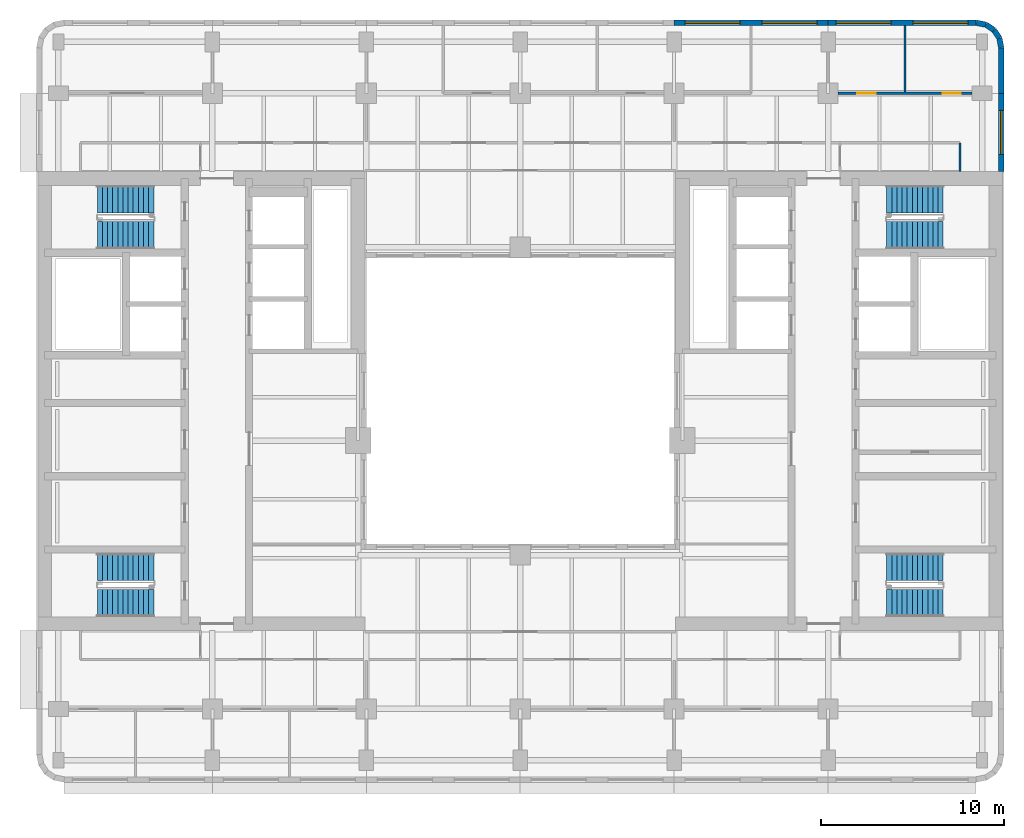
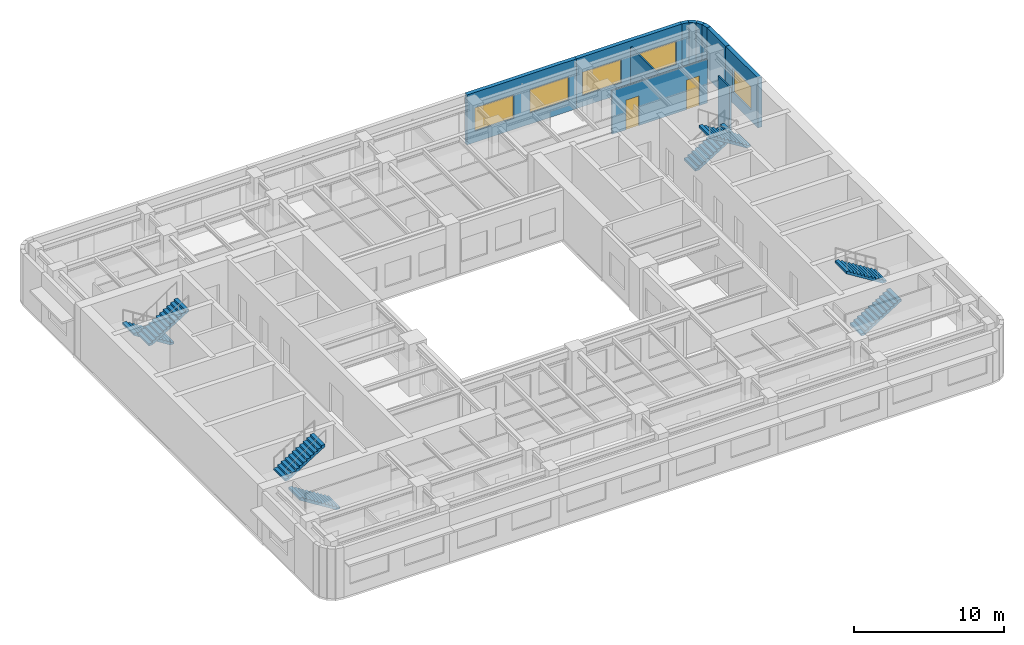
# One storey, part 8 of 11: 11 walls, 8 stair flights, 5 windows, 2 doors, 7 openings, 4 elements without a shape of their own.
"""IFC4 building model written with IfcOpenShell, lengths in metres."""

from ifc_helpers import new_model, si_unit, direction, frame, frame_2d, origin, place, context, subcontext, project, spatial, polyline, rectangle, outline, extrude, material, layer, layer_set, type_object, element, fill, aggregate, save


model = new_model("IFC4")

# Units and contexts
model_context = context("Model", 3, precision=1e-05, world=origin(), true_north=direction((0.0, 1.0)))
body_context = subcontext(model_context, "Body", "Model", "MODEL_VIEW")
ifc_project = project(units=[si_unit("LENGTHUNIT", "METRE"), si_unit("AREAUNIT", "SQUARE_METRE"), si_unit("VOLUMEUNIT", "CUBIC_METRE"), si_unit("PLANEANGLEUNIT", "RADIAN"), si_unit("MASSUNIT", "GRAM", prefix="KILO")], contexts=[model_context])

# Site, building, storey
site_placement = place(None, origin())
site = spatial("IfcSite", under=ifc_project, at=site_placement, CompositionType="ELEMENT")
building_placement = place(site_placement, origin())
building = spatial("IfcBuilding", under=site, at=building_placement, Name="Claustro Exchange Tower", CompositionType="ELEMENT")
storey_placement = place(building_placement, frame((0.0, 0.0, 202.800048828125)))
storey = spatial("IfcBuildingStorey", under=building, at=storey_placement, Name="L46", CompositionType="ELEMENT", Elevation=202.800048828125)

# Wall, openings, doors
ifc_material_1 = material(Name="Laminated glass in aluminium frame", Category="aluminium")
ifc_layer_1 = layer(ifc_material_1, 0.1201171875)
ifc_layer_set_1 = layer_set([ifc_layer_1], Name="Laminated glass in aluminium frame")
wall_type_1 = type_object("IfcWallType", Name="P2 120 glazed partition", PredefinedType="PARTITIONING", material=ifc_layer_set_1)
wall_1_placement = place(storey_placement, frame((42.549072265625, 42.0, 0.0), z_axis=(0.0, 0.0, 1.0), x_axis=(1.0, 0.0, 0.0)))
wall_1 = element("IfcWall", 1, at=wall_1_placement, inside=storey, type_object=wall_type_1, Name="Partition P2 L46", PredefinedType="PARTITIONING", context=body_context, shape_type="SweptSolid", body=[
    extrude(rectangle(XDim=7.302001953125, YDim=0.1201171875, at=frame_2d((3.65087890625, 0.0))), origin(), (0.0, 0.0, 1.0), 3.550048828125),
])
opening_1_placement = place(wall_1_placement, frame((1.051025390625, 0.0, 0.0)))
opening_1 = element("IfcOpeningElement", 2, at=opening_1_placement, cuts=wall_1, Name="Opening D7", PredefinedType="OPENING", context=body_context, shape_type="SweptSolid", body=[
    extrude(rectangle(XDim=1.0, YDim=2.39990234375, at=frame_2d((0.5, 1.199951171875))), frame((0.0, 0.070068359375, 0.0), z_axis=(0.0, -1.0, 0.0), x_axis=(1.0, 0.0, 0.0)), (0.0, 0.0, 1.0), 0.14013671875),
])
opening_2_placement = place(wall_1_placement, frame((5.700927734375, 0.0, 0.0)))
opening_2 = element("IfcOpeningElement", 3, at=opening_2_placement, cuts=wall_1, Name="Opening D7", PredefinedType="OPENING", context=body_context, shape_type="SweptSolid", body=[
    extrude(rectangle(XDim=1.0, YDim=2.39990234375, at=frame_2d((0.5, 1.199951171875))), frame((0.0, 0.070068359375, 0.0), z_axis=(0.0, -1.0, 0.0), x_axis=(1.0, 0.0, 0.0)), (0.0, 0.0, 1.0), 0.14013671875),
])
ifc_material_2 = material(Name="Glass door in aluminium frame", Category="aluminium")
door_type = type_object("IfcDoorType", Name="D7 1000 x 2400 glazed door", OperationType="SINGLE_SWING_LEFT", PredefinedType="DOOR", material=ifc_material_2)
door_1_placement = place(opening_1_placement, origin())
door_1 = element("IfcDoor", 4, at=door_1_placement, inside=storey, type_object=door_type, Name="Door D7 L46", OperationType="SINGLE_SWING_LEFT", OverallHeight=2.39990234375, OverallWidth=1.0, PredefinedType="DOOR", context=body_context, shape_type="SweptSolid", body=[
    extrude(rectangle(XDim=1.0, YDim=2.39990234375, at=frame_2d((0.5, 1.199951171875))), frame((0.0, 0.02490234375, 0.0), z_axis=(0.0, -1.0, 0.0), x_axis=(1.0, 0.0, 0.0)), (0.0, 0.0, 1.0), 0.050048828125),
])
fill(opening_1, door_1)
door_2_placement = place(opening_2_placement, origin())
door_2 = element("IfcDoor", 5, at=door_2_placement, inside=storey, type_object=door_type, Name="Door D7 L46", OperationType="SINGLE_SWING_LEFT", OverallHeight=2.39990234375, OverallWidth=1.0, PredefinedType="DOOR", context=body_context, shape_type="SweptSolid", body=[
    extrude(rectangle(XDim=1.0, YDim=2.39990234375, at=frame_2d((0.5, 1.199951171875))), frame((0.0, 0.02490234375, 0.0), z_axis=(0.0, -1.0, 0.0), x_axis=(1.0, 0.0, 0.0)), (0.0, 0.0, 1.0), 0.050048828125),
])
fill(opening_2, door_2)

# Walls
wall_2_placement = place(storey_placement, frame((46.199951171875, 42.05810546875, 0.0), z_axis=(0.0, 0.0, 1.0), x_axis=(0.0, 1.0, 0.0)))
element("IfcWall", 6, at=wall_2_placement, inside=storey, type_object=wall_type_1, Name="Partition P2 L46", PredefinedType="PARTITIONING", context=body_context, shape_type="SweptSolid", body=[
    extrude(rectangle(XDim=3.643798828125, YDim=0.1201171875, at=frame_2d((1.82177734375, 0.0))), origin(), (0.0, 0.0, 1.0), 3.550048828125),
])
wall_3_placement = place(storey_placement, frame((49.199951171875, 37.72412109375, 0.0), z_axis=(0.0, 0.0, 1.0), x_axis=(0.0, 1.0, 0.0)))
element("IfcWall", 7, at=wall_3_placement, inside=storey, type_object=wall_type_1, Name="Partition P2 L46", PredefinedType="PARTITIONING", context=body_context, shape_type="SweptSolid", body=[
    extrude(rectangle(XDim=1.575927734375, YDim=0.1201171875, at=frame_2d((0.7880859375, 0.0))), origin(), (0.0, 0.0, 1.0), 4.050048828125),
])

# Wall, openings, windows
ifc_material_3 = material(Name="Concrete HA-40 (C40/50), precast, white cement, acid-etched", Category="concrete")
ifc_layer_2 = layer(ifc_material_3, 0.300048828125)
ifc_layer_set_2 = layer_set([ifc_layer_2], Name="Concrete HA-40 (C40/50), precast, white cement, acid-etched")
wall_type_2 = type_object("IfcWallType", Name="PC1 300 precast concrete pier panel", PredefinedType="SOLIDWALL", material=ifc_layer_set_2)
wall_4_placement = place(storey_placement, frame((33.60009765625, 45.85009765625, 0.0), z_axis=(0.0, 0.0, 1.0), x_axis=(1.0, 0.0, 0.0)))
wall_4 = element("IfcWall", 8, at=wall_4_placement, inside=storey, type_object=wall_type_2, Name="Precast pier panel PC1 L46", PredefinedType="SOLIDWALL", context=body_context, shape_type="SweptSolid", body=[
    extrude(rectangle(XDim=8.39990234375, YDim=0.300048828125, at=frame_2d((4.199951171875, 0.0))), origin(), (0.0, 0.0, 1.0), 4.050048828125),
])
opening_3_placement = place(wall_4_placement, frame((0.60009765625, 0.0, 0.89990234375)))
opening_3 = element("IfcOpeningElement", 9, at=opening_3_placement, cuts=wall_4, Name="Opening W1", PredefinedType="OPENING", context=body_context, shape_type="SweptSolid", body=[
    extrude(rectangle(XDim=3.0, YDim=1.89990234375, at=frame_2d((1.5, 0.949951171875))), frame((0.0, 0.159912109375, 0.0), z_axis=(0.0, -1.0, 0.0), x_axis=(1.0, 0.0, 0.0)), (0.0, 0.0, 1.0), 0.320068359375),
])
opening_4_placement = place(wall_4_placement, frame((4.800048828125, 0.0, 0.89990234375)))
opening_4 = element("IfcOpeningElement", 10, at=opening_4_placement, cuts=wall_4, Name="Opening W1", PredefinedType="OPENING", context=body_context, shape_type="SweptSolid", body=[
    extrude(rectangle(XDim=3.0, YDim=1.89990234375, at=frame_2d((1.5, 0.949951171875))), frame((0.0, 0.159912109375, 0.0), z_axis=(0.0, -1.0, 0.0), x_axis=(1.0, 0.0, 0.0)), (0.0, 0.0, 1.0), 0.320068359375),
])
ifc_material_4 = material(Name="Aluminium frame, clear double glazing", Category="aluminium")
window_type_1 = type_object("IfcWindowType", Name="W1 3000 x 1900 window", PartitioningType="SINGLE_PANEL", PredefinedType="WINDOW", material=ifc_material_4)
window_1_placement = place(opening_3_placement, origin())
window_1 = element("IfcWindow", 11, at=window_1_placement, inside=storey, type_object=window_type_1, Name="Window W1 L46", OverallHeight=1.89990234375, OverallWidth=3.0, PartitioningType="SINGLE_PANEL", PredefinedType="WINDOW", context=body_context, shape_type="SweptSolid", body=[
    extrude(rectangle(XDim=3.0, YDim=1.89990234375, at=frame_2d((1.5, 0.949951171875))), frame((0.0, 0.030029296875, 0.0), z_axis=(0.0, -1.0, 0.0), x_axis=(1.0, 0.0, 0.0)), (0.0, 0.0, 1.0), 0.06005859375),
])
fill(opening_3, window_1)
window_2_placement = place(opening_4_placement, origin())
window_2 = element("IfcWindow", 12, at=window_2_placement, inside=storey, type_object=window_type_1, Name="Window W1 L46", OverallHeight=1.89990234375, OverallWidth=3.0, PartitioningType="SINGLE_PANEL", PredefinedType="WINDOW", context=body_context, shape_type="SweptSolid", body=[
    extrude(rectangle(XDim=3.0, YDim=1.89990234375, at=frame_2d((1.5, 0.949951171875))), frame((0.0, 0.030029296875, 0.0), z_axis=(0.0, -1.0, 0.0), x_axis=(1.0, 0.0, 0.0)), (0.0, 0.0, 1.0), 0.06005859375),
])
fill(opening_4, window_2)

wall_5_placement = place(storey_placement, frame((42.0, 45.85009765625, 0.0), z_axis=(0.0, 0.0, 1.0), x_axis=(1.0, 0.0, 0.0)))
wall_5 = element("IfcWall", 13, at=wall_5_placement, inside=storey, type_object=wall_type_2, Name="Precast pier panel PC1 L46", PredefinedType="SOLIDWALL", context=body_context, shape_type="SweptSolid", body=[
    extrude(rectangle(XDim=8.085205078125, YDim=0.300048828125, at=frame_2d((4.04248046875, 0.0))), origin(), (0.0, 0.0, 1.0), 4.050048828125),
])
opening_5_placement = place(wall_5_placement, frame((0.442626953125, 0.0, 0.89990234375)))
opening_5 = element("IfcOpeningElement", 14, at=opening_5_placement, cuts=wall_5, Name="Opening W1", PredefinedType="OPENING", context=body_context, shape_type="SweptSolid", body=[
    extrude(rectangle(XDim=3.0, YDim=1.89990234375, at=frame_2d((1.5, 0.949951171875))), frame((0.0, 0.159912109375, 0.0), z_axis=(0.0, -1.0, 0.0), x_axis=(1.0, 0.0, 0.0)), (0.0, 0.0, 1.0), 0.320068359375),
])
opening_6_placement = place(wall_5_placement, frame((4.642578125, 0.0, 0.89990234375)))
opening_6 = element("IfcOpeningElement", 15, at=opening_6_placement, cuts=wall_5, Name="Opening W1", PredefinedType="OPENING", context=body_context, shape_type="SweptSolid", body=[
    extrude(rectangle(XDim=3.0, YDim=1.89990234375, at=frame_2d((1.5, 0.949951171875))), frame((0.0, 0.159912109375, 0.0), z_axis=(0.0, -1.0, 0.0), x_axis=(1.0, 0.0, 0.0)), (0.0, 0.0, 1.0), 0.320068359375),
])
window_3_placement = place(opening_5_placement, origin())
window_3 = element("IfcWindow", 16, at=window_3_placement, inside=storey, type_object=window_type_1, Name="Window W1 L46", OverallHeight=1.89990234375, OverallWidth=3.0, PartitioningType="SINGLE_PANEL", PredefinedType="WINDOW", context=body_context, shape_type="SweptSolid", body=[
    extrude(rectangle(XDim=3.0, YDim=1.89990234375, at=frame_2d((1.5, 0.949951171875))), frame((0.0, 0.030029296875, 0.0), z_axis=(0.0, -1.0, 0.0), x_axis=(1.0, 0.0, 0.0)), (0.0, 0.0, 1.0), 0.06005859375),
])
fill(opening_5, window_3)
window_4_placement = place(opening_6_placement, origin())
window_4 = element("IfcWindow", 17, at=window_4_placement, inside=storey, type_object=window_type_1, Name="Window W1 L46", OverallHeight=1.89990234375, OverallWidth=3.0, PartitioningType="SINGLE_PANEL", PredefinedType="WINDOW", context=body_context, shape_type="SweptSolid", body=[
    extrude(rectangle(XDim=3.0, YDim=1.89990234375, at=frame_2d((1.5, 0.949951171875))), frame((0.0, 0.030029296875, 0.0), z_axis=(0.0, -1.0, 0.0), x_axis=(1.0, 0.0, 0.0)), (0.0, 0.0, 1.0), 0.06005859375),
])
fill(opening_6, window_4)

# Walls
wall_6_placement = place(storey_placement, frame((50.085205078125, 45.85009765625, 0.0), z_axis=(0.0, 0.0, 1.0), x_axis=(0.980702050465, -0.1955082817, 0.0)))
element("IfcWall", 18, at=wall_6_placement, inside=storey, type_object=wall_type_2, Name="Precast pier panel PC1 L46", PredefinedType="SOLIDWALL", context=body_context, shape_type="SweptSolid", body=[
    extrude(rectangle(XDim=0.540771484375, YDim=0.300048828125, at=frame_2d((0.2705078125, 0.0))), origin(), (0.0, 0.0, 1.0), 4.050048828125),
])
wall_7_placement = place(storey_placement, frame((50.615478515625, 45.744384765625, 0.0), z_axis=(0.0, 0.0, 1.0), x_axis=(0.831692711774, -0.555236195849, 0.0)))
element("IfcWall", 19, at=wall_7_placement, inside=storey, type_object=wall_type_2, Name="Precast pier panel PC1 L46", PredefinedType="SOLIDWALL", context=body_context, shape_type="SweptSolid", body=[
    extrude(rectangle(XDim=0.525390625, YDim=0.300048828125, at=frame_2d((0.2626953125, 0.0))), origin(), (0.0, 0.0, 1.0), 4.050048828125),
])
wall_8_placement = place(storey_placement, frame((51.052490234375, 45.45263671875, 0.0), z_axis=(0.0, 0.0, 1.0), x_axis=(0.55534295404, -0.831621430339, 0.0)))
element("IfcWall", 20, at=wall_8_placement, inside=storey, type_object=wall_type_2, Name="Precast pier panel PC1 L46", PredefinedType="SOLIDWALL", context=body_context, shape_type="SweptSolid", body=[
    extrude(rectangle(XDim=0.52587890625, YDim=0.300048828125, at=frame_2d((0.262939453125, 0.0))), origin(), (0.0, 0.0, 1.0), 4.050048828125),
])
wall_9_placement = place(storey_placement, frame((51.344482421875, 45.015380859375, 0.0), z_axis=(0.0, 0.0, 1.0), x_axis=(0.195073962632, -0.980788534345, 0.0)))
element("IfcWall", 21, at=wall_9_placement, inside=storey, type_object=wall_type_2, Name="Precast pier panel PC1 L46", PredefinedType="SOLIDWALL", context=body_context, shape_type="SweptSolid", body=[
    extrude(rectangle(XDim=0.540771484375, YDim=0.300048828125, at=frame_2d((0.2705078125, 0.0))), origin(), (0.0, 0.0, 1.0), 4.050048828125),
])
wall_10_placement = place(storey_placement, frame((51.449951171875, 44.485107421875, 0.0), z_axis=(0.0, 0.0, 1.0), x_axis=(0.0, -1.0, 0.0)))
element("IfcWall", 22, at=wall_10_placement, inside=storey, type_object=wall_type_2, Name="Precast pier panel PC1 L46", PredefinedType="SOLIDWALL", context=body_context, shape_type="SweptSolid", body=[
    extrude(rectangle(XDim=2.485107421875, YDim=0.300048828125, at=frame_2d((1.24267578125, 0.0))), origin(), (0.0, 0.0, 1.0), 4.050048828125),
])

# Wall, opening, window
wall_11_placement = place(storey_placement, frame((51.449951171875, 42.0, 0.0), z_axis=(0.0, 0.0, 1.0), x_axis=(0.0, -1.0, 0.0)))
wall_11 = element("IfcWall", 23, at=wall_11_placement, inside=storey, type_object=wall_type_2, Name="Precast pier panel PC1 L46", PredefinedType="SOLIDWALL", context=body_context, shape_type="SweptSolid", body=[
    extrude(rectangle(XDim=4.27490234375, YDim=0.300048828125, at=frame_2d((2.137451171875, 0.0))), origin(), (0.0, 0.0, 1.0), 4.050048828125),
])
opening_7_placement = place(wall_11_placement, frame((0.9375, 0.0, 0.89990234375)))
opening_7 = element("IfcOpeningElement", 24, at=opening_7_placement, cuts=wall_11, Name="Opening W2", PredefinedType="OPENING", context=body_context, shape_type="SweptSolid", body=[
    extrude(rectangle(XDim=2.39990234375, YDim=1.89990234375, at=frame_2d((1.199951171875, 0.949951171875))), frame((0.0, 0.159912109375, 0.0), z_axis=(0.0, -1.0, 0.0), x_axis=(1.0, 0.0, 0.0)), (0.0, 0.0, 1.0), 0.320068359375),
])
ifc_material_5 = material(Name="Aluminium frame, clear double glazing", Category="aluminium")
window_type_2 = type_object("IfcWindowType", Name="W2 2400 x 1900 window", PartitioningType="SINGLE_PANEL", PredefinedType="WINDOW", material=ifc_material_5)
window_5_placement = place(opening_7_placement, origin())
window_5 = element("IfcWindow", 25, at=window_5_placement, inside=storey, type_object=window_type_2, Name="Window W2 L46", OverallHeight=1.89990234375, OverallWidth=2.39990234375, PartitioningType="SINGLE_PANEL", PredefinedType="WINDOW", context=body_context, shape_type="SweptSolid", body=[
    extrude(rectangle(XDim=2.39990234375, YDim=1.89990234375, at=frame_2d((1.199951171875, 0.949951171875))), frame((0.0, 0.030029296875, 0.0), z_axis=(0.0, -1.0, 0.0), x_axis=(1.0, 0.0, 0.0)), (0.0, 0.0, 1.0), 0.06005859375),
])
fill(opening_7, window_5)

# Stair, stair flights
ifc_material_6 = material(Name="Concrete HA-30 (C30/37), precast", Category="concrete")
stair_type = type_object("IfcStairType", Name="ST1 half-turn stair, 24 risers of 175", PredefinedType="HALF_TURN_STAIR", material=ifc_material_6)
stair_1_placement = place(storey_placement, origin())
stair_1 = element("IfcStair", 26, at=stair_1_placement, inside=storey, type_object=stair_type, Name="Stair STWA L46", PredefinedType="HALF_TURN_STAIR")
ifc_material_7 = material(Name="Concrete HA-30 (C30/37), precast", Category="concrete")
stair_flight_type = type_object("IfcStairFlightType", Name="SF12A straight flight, 12 risers of 175, 1500 wide", PredefinedType="STRAIGHT", material=ifc_material_7)
stair_flight_1_placement = place(storey_placement, frame((5.199951171875, 14.175048828125, 0.0), z_axis=(0.0, 0.0, 1.0), x_axis=(-1.0, 0.0, 0.0)))
stair_flight_1 = element("IfcStairFlight", 27, at=stair_flight_1_placement, type_object=stair_flight_type, Name="STWA flight 1", NumberOfRisers=12, NumberOfTreads=11, PredefinedType="STRAIGHT", RiserHeight=0.175, TreadLength=0.28, context=body_context, shape_type="SweptSolid", body=[
    extrude(outline(polyline([(0.0, 0.0), (0.0, 0.175048828125), (0.280029296875, 0.175048828125), (0.280029296875, 0.35009765625), (0.56005859375, 0.35009765625), (0.56005859375, 0.52490234375), (0.840087890625, 0.52490234375), (0.840087890625, 0.699951171875), (1.1201171875, 0.699951171875), (1.1201171875, 0.875), (1.39990234375, 0.875), (1.39990234375, 1.050048828125), (1.679931640625, 1.050048828125), (1.679931640625, 1.22509765625), (1.9599609375, 1.22509765625), (1.9599609375, 1.39990234375), (2.239990234375, 1.39990234375), (2.239990234375, 1.574951171875), (2.52001953125, 1.574951171875), (2.52001953125, 1.75), (2.800048828125, 1.75), (2.800048828125, 1.925048828125), (3.080078125, 1.925048828125), (3.080078125, 2.10009765625), (3.080078125, 1.748291015625), (0.28271484375, 0.0), (0.0, 0.0)])), frame((0.0, 0.75, 0.0), z_axis=(0.0, -1.0, 0.0), x_axis=(1.0, 0.0, 0.0)), (0.0, 0.0, 1.0), 1.5),
])
stair_flight_2_placement = place(storey_placement, frame((2.1201171875, 16.14990234375, 2.099853515625), z_axis=(0.0, 0.0, 1.0), x_axis=(1.0, 0.0, 0.0)))
stair_flight_2 = element("IfcStairFlight", 28, at=stair_flight_2_placement, type_object=stair_flight_type, Name="STWA flight 2", NumberOfRisers=12, NumberOfTreads=11, PredefinedType="STRAIGHT", RiserHeight=0.175, TreadLength=0.28, context=body_context, shape_type="SweptSolid", body=[
    extrude(outline(polyline([(0.0, 0.0), (0.0, 0.175048828125), (0.280029296875, 0.175048828125), (0.280029296875, 0.35009765625), (0.56005859375, 0.35009765625), (0.56005859375, 0.52490234375), (0.840087890625, 0.52490234375), (0.840087890625, 0.699951171875), (1.1201171875, 0.699951171875), (1.1201171875, 0.875), (1.39990234375, 0.875), (1.39990234375, 1.050048828125), (1.679931640625, 1.050048828125), (1.679931640625, 1.22509765625), (1.9599609375, 1.22509765625), (1.9599609375, 1.39990234375), (2.239990234375, 1.39990234375), (2.239990234375, 1.574951171875), (2.52001953125, 1.574951171875), (2.52001953125, 1.75), (2.800048828125, 1.75), (2.800048828125, 1.925048828125), (3.080078125, 1.925048828125), (3.080078125, 2.10009765625), (3.080078125, 1.748291015625), (0.28271484375, 0.0), (0.0, 0.0)])), frame((0.0, 0.75, 0.0), z_axis=(0.0, -1.0, 0.0), x_axis=(1.0, 0.0, 0.0)), (0.0, 0.0, 1.0), 1.5),
])
aggregate(stair_1, [stair_flight_1, stair_flight_2])

stair_2_placement = place(storey_placement, origin())
stair_2 = element("IfcStair", 29, at=stair_2_placement, inside=storey, type_object=stair_type, Name="Stair STWB L46", PredefinedType="HALF_TURN_STAIR")
stair_flight_3_placement = place(storey_placement, frame((5.199951171875, 36.22509765625, 0.0), z_axis=(0.0, 0.0, 1.0), x_axis=(-1.0, 0.0, 0.0)))
stair_flight_3 = element("IfcStairFlight", 30, at=stair_flight_3_placement, type_object=stair_flight_type, Name="STWB flight 1", NumberOfRisers=12, NumberOfTreads=11, PredefinedType="STRAIGHT", RiserHeight=0.175, TreadLength=0.28, context=body_context, shape_type="SweptSolid", body=[
    extrude(outline(polyline([(0.0, 0.0), (0.0, 0.175048828125), (0.280029296875, 0.175048828125), (0.280029296875, 0.35009765625), (0.56005859375, 0.35009765625), (0.56005859375, 0.52490234375), (0.840087890625, 0.52490234375), (0.840087890625, 0.699951171875), (1.1201171875, 0.699951171875), (1.1201171875, 0.875), (1.39990234375, 0.875), (1.39990234375, 1.050048828125), (1.679931640625, 1.050048828125), (1.679931640625, 1.22509765625), (1.9599609375, 1.22509765625), (1.9599609375, 1.39990234375), (2.239990234375, 1.39990234375), (2.239990234375, 1.574951171875), (2.52001953125, 1.574951171875), (2.52001953125, 1.75), (2.800048828125, 1.75), (2.800048828125, 1.925048828125), (3.080078125, 1.925048828125), (3.080078125, 2.10009765625), (3.080078125, 1.748291015625), (0.28271484375, 0.0), (0.0, 0.0)])), frame((0.0, 0.75, 0.0), z_axis=(0.0, -1.0, 0.0), x_axis=(1.0, 0.0, 0.0)), (0.0, 0.0, 1.0), 1.5),
])
stair_flight_4_placement = place(storey_placement, frame((2.1201171875, 34.25, 2.099853515625), z_axis=(0.0, 0.0, 1.0), x_axis=(1.0, 0.0, 0.0)))
stair_flight_4 = element("IfcStairFlight", 31, at=stair_flight_4_placement, type_object=stair_flight_type, Name="STWB flight 2", NumberOfRisers=12, NumberOfTreads=11, PredefinedType="STRAIGHT", RiserHeight=0.175, TreadLength=0.28, context=body_context, shape_type="SweptSolid", body=[
    extrude(outline(polyline([(0.0, 0.0), (0.0, 0.175048828125), (0.280029296875, 0.175048828125), (0.280029296875, 0.35009765625), (0.56005859375, 0.35009765625), (0.56005859375, 0.52490234375), (0.840087890625, 0.52490234375), (0.840087890625, 0.699951171875), (1.1201171875, 0.699951171875), (1.1201171875, 0.875), (1.39990234375, 0.875), (1.39990234375, 1.050048828125), (1.679931640625, 1.050048828125), (1.679931640625, 1.22509765625), (1.9599609375, 1.22509765625), (1.9599609375, 1.39990234375), (2.239990234375, 1.39990234375), (2.239990234375, 1.574951171875), (2.52001953125, 1.574951171875), (2.52001953125, 1.75), (2.800048828125, 1.75), (2.800048828125, 1.925048828125), (3.080078125, 1.925048828125), (3.080078125, 2.10009765625), (3.080078125, 1.748291015625), (0.28271484375, 0.0), (0.0, 0.0)])), frame((0.0, 0.75, 0.0), z_axis=(0.0, -1.0, 0.0), x_axis=(1.0, 0.0, 0.0)), (0.0, 0.0, 1.0), 1.5),
])
aggregate(stair_2, [stair_flight_3, stair_flight_4])

stair_3_placement = place(storey_placement, origin())
stair_3 = element("IfcStair", 32, at=stair_3_placement, inside=storey, type_object=stair_type, Name="Stair STEA L46", PredefinedType="HALF_TURN_STAIR")
stair_flight_5_placement = place(storey_placement, frame((45.199951171875, 14.175048828125, 0.0), z_axis=(0.0, 0.0, 1.0), x_axis=(1.0, 0.0, 0.0)))
stair_flight_5 = element("IfcStairFlight", 33, at=stair_flight_5_placement, type_object=stair_flight_type, Name="STEA flight 1", NumberOfRisers=12, NumberOfTreads=11, PredefinedType="STRAIGHT", RiserHeight=0.175, TreadLength=0.28, context=body_context, shape_type="SweptSolid", body=[
    extrude(outline(polyline([(0.0, 0.0), (0.0, 0.175048828125), (0.280029296875, 0.175048828125), (0.280029296875, 0.35009765625), (0.56005859375, 0.35009765625), (0.56005859375, 0.52490234375), (0.840087890625, 0.52490234375), (0.840087890625, 0.699951171875), (1.1201171875, 0.699951171875), (1.1201171875, 0.875), (1.39990234375, 0.875), (1.39990234375, 1.050048828125), (1.679931640625, 1.050048828125), (1.679931640625, 1.22509765625), (1.9599609375, 1.22509765625), (1.9599609375, 1.39990234375), (2.239990234375, 1.39990234375), (2.239990234375, 1.574951171875), (2.52001953125, 1.574951171875), (2.52001953125, 1.75), (2.800048828125, 1.75), (2.800048828125, 1.925048828125), (3.080078125, 1.925048828125), (3.080078125, 2.10009765625), (3.080078125, 1.748291015625), (0.28271484375, 0.0), (0.0, 0.0)])), frame((0.0, 0.75, 0.0), z_axis=(0.0, -1.0, 0.0), x_axis=(1.0, 0.0, 0.0)), (0.0, 0.0, 1.0), 1.5),
])
stair_flight_6_placement = place(storey_placement, frame((48.280029296875, 16.14990234375, 2.099853515625), z_axis=(0.0, 0.0, 1.0), x_axis=(-1.0, 0.0, 0.0)))
stair_flight_6 = element("IfcStairFlight", 34, at=stair_flight_6_placement, type_object=stair_flight_type, Name="STEA flight 2", NumberOfRisers=12, NumberOfTreads=11, PredefinedType="STRAIGHT", RiserHeight=0.175, TreadLength=0.28, context=body_context, shape_type="SweptSolid", body=[
    extrude(outline(polyline([(0.0, 0.0), (0.0, 0.175048828125), (0.280029296875, 0.175048828125), (0.280029296875, 0.35009765625), (0.56005859375, 0.35009765625), (0.56005859375, 0.52490234375), (0.840087890625, 0.52490234375), (0.840087890625, 0.699951171875), (1.1201171875, 0.699951171875), (1.1201171875, 0.875), (1.39990234375, 0.875), (1.39990234375, 1.050048828125), (1.679931640625, 1.050048828125), (1.679931640625, 1.22509765625), (1.9599609375, 1.22509765625), (1.9599609375, 1.39990234375), (2.239990234375, 1.39990234375), (2.239990234375, 1.574951171875), (2.52001953125, 1.574951171875), (2.52001953125, 1.75), (2.800048828125, 1.75), (2.800048828125, 1.925048828125), (3.080078125, 1.925048828125), (3.080078125, 2.10009765625), (3.080078125, 1.748291015625), (0.28271484375, 0.0), (0.0, 0.0)])), frame((0.0, 0.75, 0.0), z_axis=(0.0, -1.0, 0.0), x_axis=(1.0, 0.0, 0.0)), (0.0, 0.0, 1.0), 1.5),
])
aggregate(stair_3, [stair_flight_5, stair_flight_6])

stair_4_placement = place(storey_placement, origin())
stair_4 = element("IfcStair", 35, at=stair_4_placement, inside=storey, type_object=stair_type, Name="Stair STEB L46", PredefinedType="HALF_TURN_STAIR")
stair_flight_7_placement = place(storey_placement, frame((45.199951171875, 36.22509765625, 0.0), z_axis=(0.0, 0.0, 1.0), x_axis=(1.0, 0.0, 0.0)))
stair_flight_7 = element("IfcStairFlight", 36, at=stair_flight_7_placement, type_object=stair_flight_type, Name="STEB flight 1", NumberOfRisers=12, NumberOfTreads=11, PredefinedType="STRAIGHT", RiserHeight=0.175, TreadLength=0.28, context=body_context, shape_type="SweptSolid", body=[
    extrude(outline(polyline([(0.0, 0.0), (0.0, 0.175048828125), (0.280029296875, 0.175048828125), (0.280029296875, 0.35009765625), (0.56005859375, 0.35009765625), (0.56005859375, 0.52490234375), (0.840087890625, 0.52490234375), (0.840087890625, 0.699951171875), (1.1201171875, 0.699951171875), (1.1201171875, 0.875), (1.39990234375, 0.875), (1.39990234375, 1.050048828125), (1.679931640625, 1.050048828125), (1.679931640625, 1.22509765625), (1.9599609375, 1.22509765625), (1.9599609375, 1.39990234375), (2.239990234375, 1.39990234375), (2.239990234375, 1.574951171875), (2.52001953125, 1.574951171875), (2.52001953125, 1.75), (2.800048828125, 1.75), (2.800048828125, 1.925048828125), (3.080078125, 1.925048828125), (3.080078125, 2.10009765625), (3.080078125, 1.748291015625), (0.28271484375, 0.0), (0.0, 0.0)])), frame((0.0, 0.75, 0.0), z_axis=(0.0, -1.0, 0.0), x_axis=(1.0, 0.0, 0.0)), (0.0, 0.0, 1.0), 1.5),
])
stair_flight_8_placement = place(storey_placement, frame((48.280029296875, 34.25, 2.099853515625), z_axis=(0.0, 0.0, 1.0), x_axis=(-1.0, 0.0, 0.0)))
stair_flight_8 = element("IfcStairFlight", 37, at=stair_flight_8_placement, type_object=stair_flight_type, Name="STEB flight 2", NumberOfRisers=12, NumberOfTreads=11, PredefinedType="STRAIGHT", RiserHeight=0.175, TreadLength=0.28, context=body_context, shape_type="SweptSolid", body=[
    extrude(outline(polyline([(0.0, 0.0), (0.0, 0.175048828125), (0.280029296875, 0.175048828125), (0.280029296875, 0.35009765625), (0.56005859375, 0.35009765625), (0.56005859375, 0.52490234375), (0.840087890625, 0.52490234375), (0.840087890625, 0.699951171875), (1.1201171875, 0.699951171875), (1.1201171875, 0.875), (1.39990234375, 0.875), (1.39990234375, 1.050048828125), (1.679931640625, 1.050048828125), (1.679931640625, 1.22509765625), (1.9599609375, 1.22509765625), (1.9599609375, 1.39990234375), (2.239990234375, 1.39990234375), (2.239990234375, 1.574951171875), (2.52001953125, 1.574951171875), (2.52001953125, 1.75), (2.800048828125, 1.75), (2.800048828125, 1.925048828125), (3.080078125, 1.925048828125), (3.080078125, 2.10009765625), (3.080078125, 1.748291015625), (0.28271484375, 0.0), (0.0, 0.0)])), frame((0.0, 0.75, 0.0), z_axis=(0.0, -1.0, 0.0), x_axis=(1.0, 0.0, 0.0)), (0.0, 0.0, 1.0), 1.5),
])
aggregate(stair_4, [stair_flight_7, stair_flight_8])

save(model, "model.ifc")
